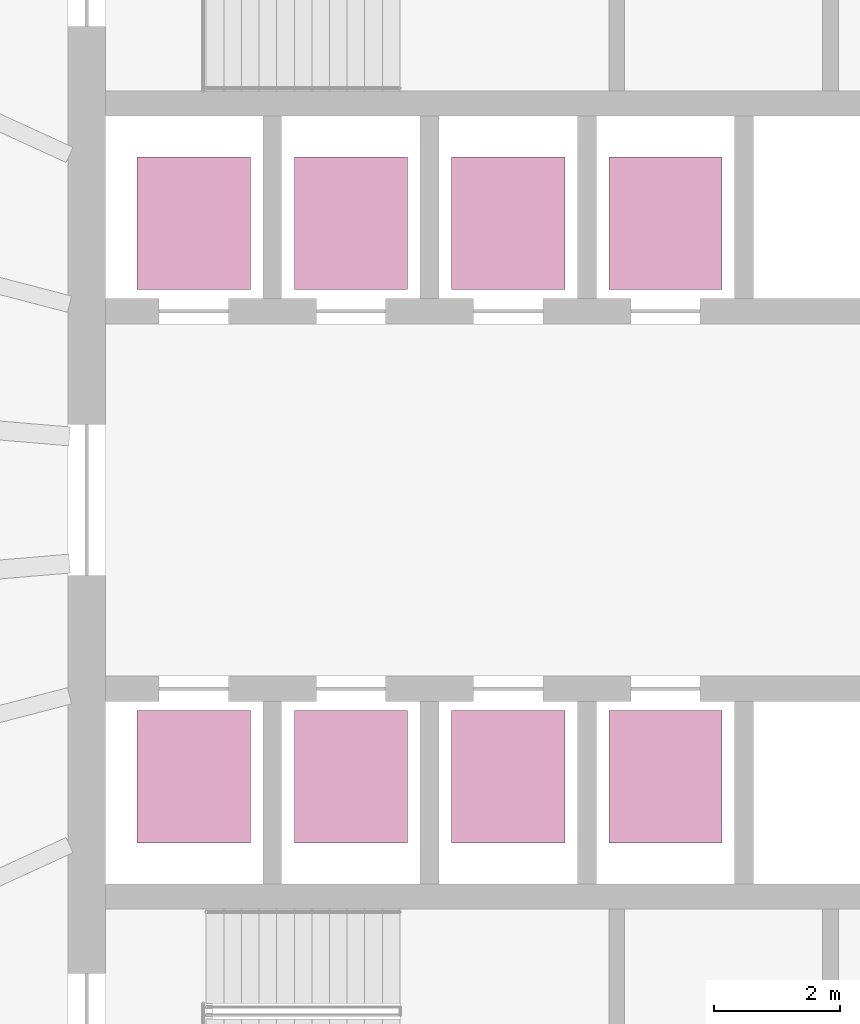
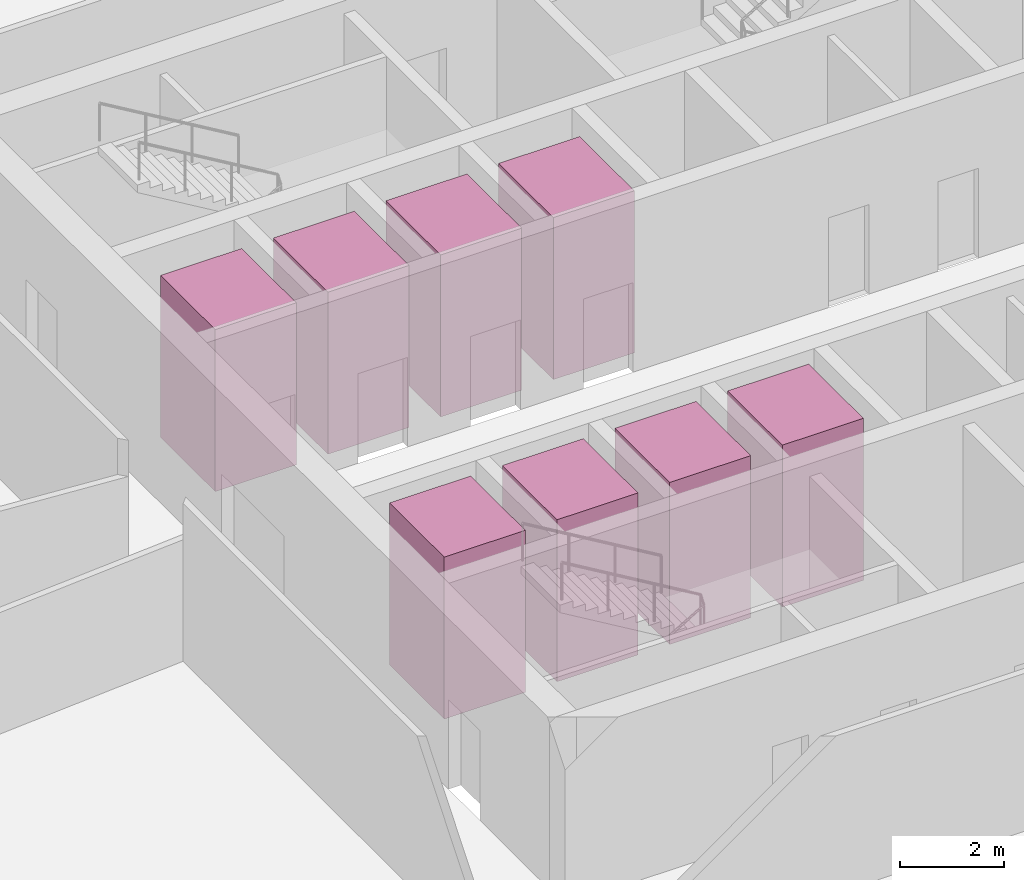
# One storey, part 10 of 10: 8 transport elements.
"""IFC4 building model written with IfcOpenShell, lengths in metres."""

from ifc_helpers import new_model, si_unit, direction, frame, origin, origin_2d, place, context, subcontext, project, spatial, rectangle, extrude, material, type_object, element, save


model = new_model("IFC4")

# Units and contexts
model_context = context("Model", 3, precision=1e-05, world=origin(), true_north=direction((0.0, 1.0)))
body_context = subcontext(model_context, "Body", "Model", "MODEL_VIEW")
ifc_project = project(units=[si_unit("LENGTHUNIT", "METRE"), si_unit("AREAUNIT", "SQUARE_METRE"), si_unit("VOLUMEUNIT", "CUBIC_METRE"), si_unit("PLANEANGLEUNIT", "RADIAN"), si_unit("MASSUNIT", "GRAM", prefix="KILO")], contexts=[model_context])

# Site, building, storey
site_placement = place(None, origin())
site = spatial("IfcSite", under=ifc_project, at=site_placement, CompositionType="ELEMENT")
building_placement = place(site_placement, origin())
building = spatial("IfcBuilding", under=site, at=building_placement, Name="Halqa Exchange Tower", CompositionType="ELEMENT")
storey_placement = place(building_placement, frame((0.0, 0.0, 242.89990234375)))
storey = spatial("IfcBuildingStorey", under=building, at=storey_placement, Name="L56", CompositionType="ELEMENT", Elevation=242.89990234375)

# Transport elements
ifc_material = material(Name="Stainless steel", Category="steel")
transport_element_type_1 = type_object("IfcTransportElementType", Name="High-rise passenger lift 1800 x 2100", PredefinedType="ELEVATOR", material=ifc_material)
for number, where, z_axis, x_axis, name in (
    (1, (-10.0, 4.39990234375, 0.0), (0.0, 0.0, 1.0), (1.0, 0.0, 0.0), "High-rise passenger lift HR1"),
    (2, (-7.5, 4.39990234375, 0.0), (0.0, 0.0, 1.0), (1.0, 0.0, 0.0), "High-rise passenger lift HR2"),
    (3, (-10.0, -4.39990234375, 0.0), (0.0, 0.0, 1.0), (1.0, 0.0, 0.0), "High-rise passenger lift HR3"),
    (4, (-7.5, -4.39990234375, 0.0), (0.0, 0.0, 1.0), (1.0, 0.0, 0.0), "High-rise passenger lift HR4"),
):
    element("IfcTransportElement", number, at=place(storey_placement, frame(where, z_axis=z_axis, x_axis=x_axis)), inside=storey, type_object=transport_element_type_1, Name=name, PredefinedType="ELEVATOR", context=body_context, shape_type="SweptSolid", body=[
        extrude(rectangle(XDim=1.800048828125, YDim=2.10009765625, at=origin_2d()), origin(), (0.0, 0.0, 1.0), 3.800048828125),
    ])
transport_element_type_2 = type_object("IfcTransportElementType", Name="Mid-rise passenger lift 1800 x 2100", PredefinedType="ELEVATOR", material=ifc_material)
for number, where, z_axis, x_axis, name in (
    (5, (-5.0, 4.39990234375, 0.0), (0.0, 0.0, 1.0), (1.0, 0.0, 0.0), "Mid-rise passenger lift MR1"),
    (6, (-2.5, 4.39990234375, 0.0), (0.0, 0.0, 1.0), (1.0, 0.0, 0.0), "Mid-rise passenger lift MR2"),
    (7, (-5.0, -4.39990234375, 0.0), (0.0, 0.0, 1.0), (1.0, 0.0, 0.0), "Mid-rise passenger lift MR3"),
    (8, (-2.5, -4.39990234375, 0.0), (0.0, 0.0, 1.0), (1.0, 0.0, 0.0), "Mid-rise passenger lift MR4"),
):
    element("IfcTransportElement", number, at=place(storey_placement, frame(where, z_axis=z_axis, x_axis=x_axis)), inside=storey, type_object=transport_element_type_2, Name=name, PredefinedType="ELEVATOR", context=body_context, shape_type="SweptSolid", body=[
        extrude(rectangle(XDim=1.800048828125, YDim=2.10009765625, at=origin_2d()), origin(), (0.0, 0.0, 1.0), 3.800048828125),
    ])

save(model, "model.ifc")
